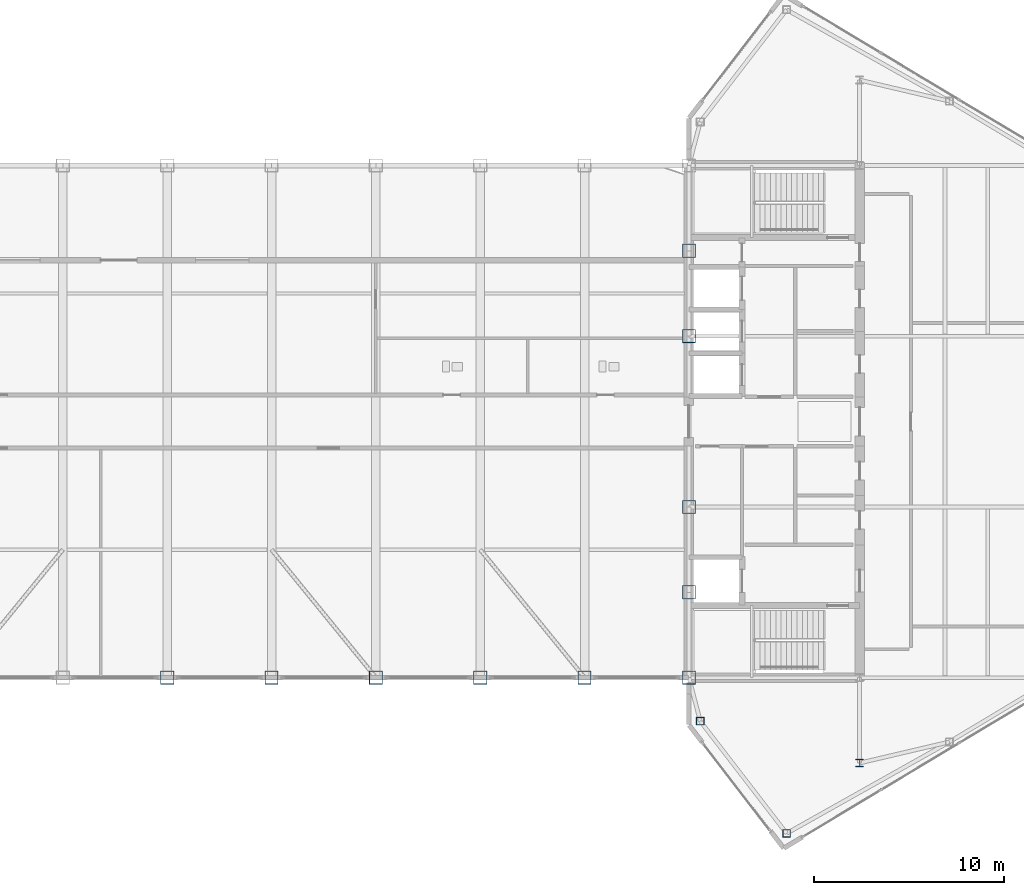
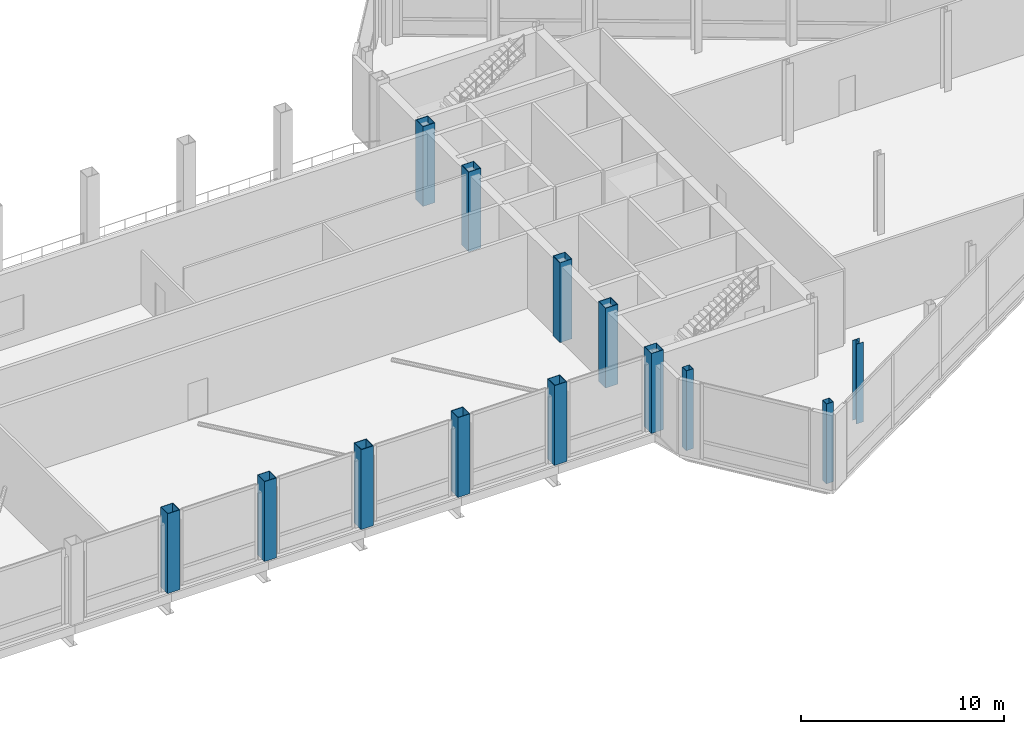
# One storey, part 4 of 28: 13 columns.
"""IFC4 building model written with IfcOpenShell, lengths in metres."""

from ifc_helpers import new_model, si_unit, direction, frame, origin, origin_2d, place, context, subcontext, project, spatial, hollow_rectangle, i_section, extrude, source, transform, mapped, material, material_profile, profile_set, type_object, type_shapes, element, save


model = new_model("IFC4")

# Units and contexts
model_context = context("Model", 3, precision=1e-05, world=origin(), true_north=direction((0.0, 1.0)))
body_context = subcontext(model_context, "Body", "Model", "MODEL_VIEW")
ifc_project = project(units=[si_unit("LENGTHUNIT", "METRE"), si_unit("AREAUNIT", "SQUARE_METRE"), si_unit("VOLUMEUNIT", "CUBIC_METRE"), si_unit("PLANEANGLEUNIT", "RADIAN"), si_unit("MASSUNIT", "GRAM", prefix="KILO")], contexts=[model_context])

# Site, building, storey
site_placement = place(None, origin())
site = spatial("IfcSite", under=ifc_project, at=site_placement, CompositionType="ELEMENT")
building_placement = place(site_placement, origin())
building = spatial("IfcBuilding", under=site, at=building_placement, Name="Seokmaru Belvedere", CompositionType="ELEMENT")
storey_placement = place(building_placement, frame((0.0, 0.0, 274.199951171875)))
storey = spatial("IfcBuildingStorey", under=building, at=storey_placement, Name="L72", CompositionType="ELEMENT", Elevation=274.199951171875)

# Columns
ifc_material = material(Name="Steel SM355 (355 MPa)", Category="steel")
ifc_material_profile_1 = material_profile(ifc_material, hollow_rectangle(XDim=0.699951171875, YDim=0.699951171875, WallThickness=0.030029296875, at=origin_2d()), Name="BOX-700x700x30")
ifc_profile_set_1 = profile_set([ifc_material_profile_1], Name="Steel SM355 (355 MPa)")
column_type_1 = type_object("IfcColumnType", Name="Upper Spine Column BOX-700", PredefinedType="COLUMN", material=ifc_profile_set_1)
shared_shape_1 = source(origin(), body_context, "Body", "SweptSolid", [
    extrude(hollow_rectangle(XDim=0.699951171875, YDim=0.699951171875, WallThickness=0.030029296875, at=origin_2d()), origin(), (0.0, 0.0, 1.0), 4.800048828125),
])
type_shapes(column_type_1, [shared_shape_1])
for number, where, z_axis, x_axis, name in (
    (1, (27.5, -13.5, 0.0), (0.0, 0.0, 1.0), (1.0, 0.0, 0.0), "L72 Column ES1"),
    (2, (27.5, -9.0, 0.0), (0.0, 0.0, 1.0), (1.0, 0.0, 0.0), "L72 Column ES2"),
    (3, (27.5, -4.5, 0.0), (0.0, 0.0, 1.0), (1.0, 0.0, 0.0), "L72 Column ES3"),
    (4, (27.5, 4.5, 0.0), (0.0, 0.0, 1.0), (1.0, 0.0, 0.0), "L72 Column ES4"),
    (5, (27.5, 9.0, 0.0), (0.0, 0.0, 1.0), (1.0, 0.0, 0.0), "L72 Column ES5"),
    (6, (0.0, -13.5, 0.0), (0.0, 0.0, 1.0), (1.0, 0.0, 0.0), "L72 Column BRS_5"),
    (7, (5.5, -13.5, 0.0), (0.0, 0.0, 1.0), (1.0, 0.0, 0.0), "L72 Column BRS_6"),
    (8, (11.0, -13.5, 0.0), (0.0, 0.0, 1.0), (1.0, 0.0, 0.0), "L72 Column BRS_7"),
    (9, (16.5, -13.5, 0.0), (0.0, 0.0, 1.0), (1.0, 0.0, 0.0), "L72 Column BRS_8"),
    (10, (22.0, -13.5, 0.0), (0.0, 0.0, 1.0), (1.0, 0.0, 0.0), "L72 Column BRS_9"),
):
    element("IfcColumn", number, at=place(storey_placement, frame(where, z_axis=z_axis, x_axis=x_axis)), inside=storey, type_object=column_type_1, Name=name, PredefinedType="COLUMN", context=body_context, shape_type="MappedRepresentation", body=[
        mapped(shared_shape_1, transform((0.0, 0.0, 0.0), scale=1.0)),
    ])
ifc_material_profile_2 = material_profile(ifc_material, hollow_rectangle(XDim=0.39990234375, YDim=0.39990234375, WallThickness=0.01611328125, at=origin_2d()), Name="HSS-400x400x16")
ifc_profile_set_2 = profile_set([ifc_material_profile_2], Name="Steel SM355 (355 MPa)")
column_type_2 = type_object("IfcColumnType", Name="Perimeter Facet Column HSS-400", PredefinedType="COLUMN", material=ifc_profile_set_2)
shared_shape_2 = source(origin(), body_context, "Body", "SweptSolid", [
    extrude(hollow_rectangle(XDim=0.39990234375, YDim=0.39990234375, WallThickness=0.01611328125, at=origin_2d()), origin(), (0.0, 0.0, 1.0), 4.800048828125),
])
type_shapes(column_type_2, [shared_shape_2])
for number, where, z_axis, x_axis, name in (
    (11, (32.649658203125, -21.71044921875, 0.0), (0.0, 0.0, 1.0), (1.0, 0.0, 0.0), "L72 Column EF1"),
    (12, (28.10009765625, -15.7958984375, 0.0), (0.0, 0.0, 1.0), (1.0, 0.0, 0.0), "L72 Column EF6"),
):
    element("IfcColumn", number, at=place(storey_placement, frame(where, z_axis=z_axis, x_axis=x_axis)), inside=storey, type_object=column_type_2, Name=name, PredefinedType="COLUMN", context=body_context, shape_type="MappedRepresentation", body=[
        mapped(shared_shape_2, transform((0.0, 0.0, 0.0), scale=1.0)),
    ])
ifc_material_profile_3 = material_profile(ifc_material, i_section(OverallWidth=0.39990234375, OverallDepth=0.39990234375, WebThickness=0.012939453125, FlangeThickness=0.02099609375, at=origin_2d()), Name="H-400x400x13x21")
ifc_profile_set_3 = profile_set([ifc_material_profile_3], Name="Steel SM355 (355 MPa)")
column_type_3 = type_object("IfcColumnType", Name="Observatory Column H-400", PredefinedType="COLUMN", material=ifc_profile_set_3)
shared_shape_3 = source(origin(), body_context, "Body", "SweptSolid", [
    extrude(i_section(OverallWidth=0.39990234375, OverallDepth=0.39990234375, WebThickness=0.012939453125, FlangeThickness=0.02099609375, at=origin_2d()), origin(), (0.0, 0.0, 1.0), 4.800048828125),
])
type_shapes(column_type_3, [shared_shape_3])
column_placement = place(storey_placement, frame((36.5, -18.0, 0.0), z_axis=(0.0, 0.0, 1.0), x_axis=(1.0, 0.0, 0.0)))
element("IfcColumn", 13, at=column_placement, inside=storey, type_object=column_type_3, Name="L72 Column EC1", PredefinedType="COLUMN", context=body_context, shape_type="MappedRepresentation", body=[
    mapped(shared_shape_3, transform((0.0, 0.0, 0.0), scale=1.0)),
])

save(model, "model.ifc")
